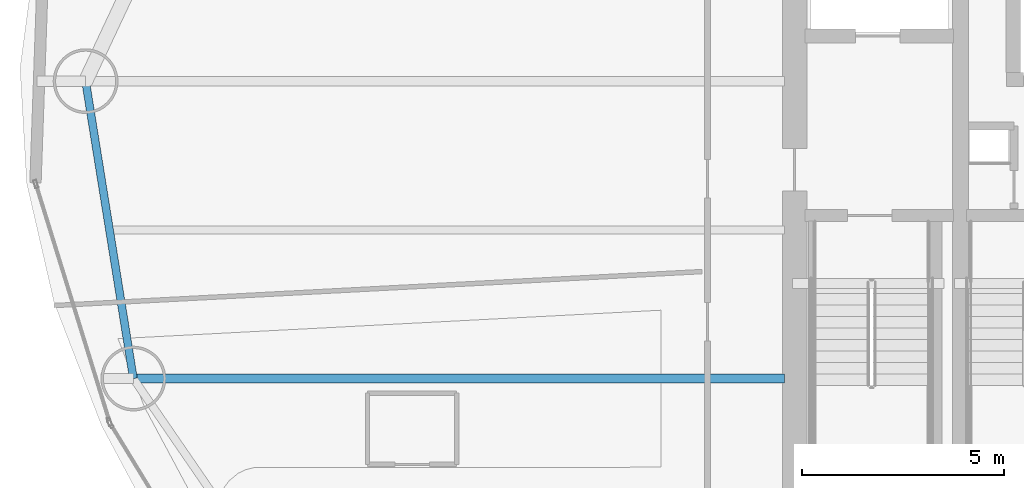
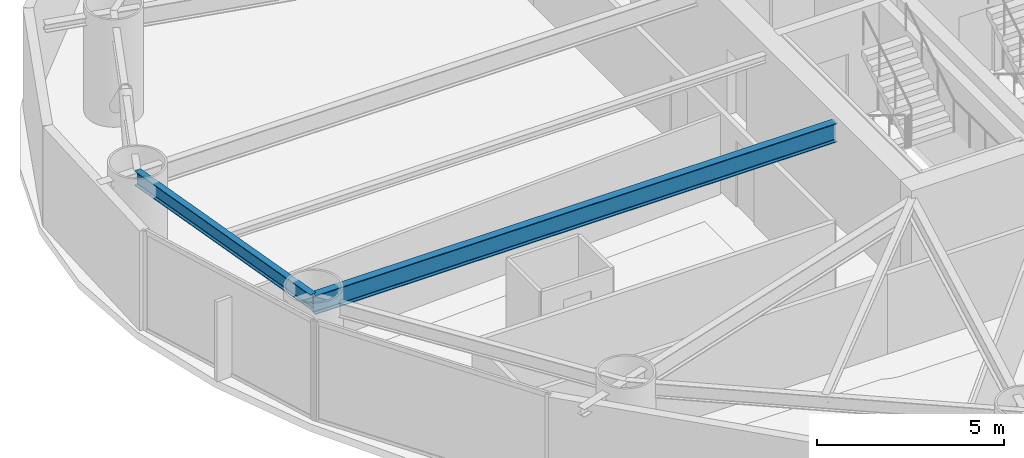
# One storey, part 5 of 30: 2 beams.
"""IFC4 building model written with IfcOpenShell, lengths in metres."""

from ifc_helpers import new_model, si_unit, direction, frame, origin, origin_2d, place, context, subcontext, project, spatial, i_section, extrude, material, material_profile, profile_set, type_object, element, save


model = new_model("IFC4")

# Units and contexts
model_context = context("Model", 3, precision=1e-05, world=origin(), true_north=direction((0.0, 1.0)))
body_context = subcontext(model_context, "Body", "Model", "MODEL_VIEW")
ifc_project = project(units=[si_unit("LENGTHUNIT", "METRE"), si_unit("AREAUNIT", "SQUARE_METRE"), si_unit("VOLUMEUNIT", "CUBIC_METRE"), si_unit("PLANEANGLEUNIT", "RADIAN"), si_unit("MASSUNIT", "GRAM", prefix="KILO")], contexts=[model_context])

# Site, building, storey
site_placement = place(None, origin())
site = spatial("IfcSite", under=ifc_project, at=site_placement, CompositionType="ELEMENT")
building_placement = place(site_placement, origin())
building = spatial("IfcBuilding", under=site, at=building_placement, Name="Bramvorn Convention Spire", CompositionType="ELEMENT")
storey_placement = place(building_placement, frame((0.0, 0.0, 86.89990234375)))
storey = spatial("IfcBuildingStorey", under=building, at=storey_placement, Name="L20", CompositionType="ELEMENT", Elevation=86.89990234375)

# Beams
ifc_material = material(Name="Steel CSA G40.21 Grade 350 (350W)", Category="steel")
ifc_material_profile_1 = material_profile(ifc_material, i_section(OverallWidth=0.194091796875, OverallDepth=0.468994140625, WebThickness=0.0126953125, FlangeThickness=0.0205078125, FilletRadius=0.01806640625, at=origin_2d()))
ifc_profile_set_1 = profile_set([ifc_material_profile_1], Name="Steel CSA G40.21 Grade 350 (350W) - W460X106")
beam_type_1 = type_object("IfcBeamType", Name="BM-W460X106", PredefinedType="SPANDREL", material=ifc_profile_set_1)
beam_1_placement = place(storey_placement, frame((9.480224609375, 30.00830078125, 3.015625), z_axis=(0.158699222824, -0.987326975563, 0.0), x_axis=(0.987326975563, 0.158699222824, 0.0)))
element("IfcBeam", 1, at=beam_1_placement, inside=storey, type_object=beam_type_1, Name="L20 mega-column ring beam 09", PredefinedType="SPANDREL", context=body_context, shape_type="SweptSolid", body=[
    extrude(i_section(OverallWidth=0.194091796875, OverallDepth=0.468994140625, WebThickness=0.0126953125, FlangeThickness=0.0205078125, FilletRadius=0.01806640625, at=origin_2d()), origin(), (0.0, 0.0, 1.0), 7.442626953125),
])
ifc_material_profile_2 = material_profile(ifc_material, i_section(OverallWidth=0.22998046875, OverallDepth=0.616943359375, WebThickness=0.01318359375, FlangeThickness=0.022216796875, FilletRadius=0.02001953125, at=origin_2d()))
ifc_profile_set_2 = profile_set([ifc_material_profile_2], Name="Steel CSA G40.21 Grade 350 (350W) - W610X140")
beam_type_2 = type_object("IfcBeamType", Name="BM-W610X140", PredefinedType="BEAM", material=ifc_profile_set_2)
beam_2_placement = place(storey_placement, frame((26.75, 22.659912109375, 2.941650390625), z_axis=(-1.0, 0.0, 0.0), x_axis=(0.0, -1.0, 0.0)))
element("IfcBeam", 2, at=beam_2_placement, inside=storey, type_object=beam_type_2, Name="L20 radial floor girder MC10", PredefinedType="BEAM", context=body_context, shape_type="SweptSolid", body=[
    extrude(i_section(OverallWidth=0.22998046875, OverallDepth=0.616943359375, WebThickness=0.01318359375, FlangeThickness=0.022216796875, FilletRadius=0.02001953125, at=origin_2d()), origin(), (0.0, 0.0, 1.0), 16.088623046875),
])

save(model, "model.ifc")
